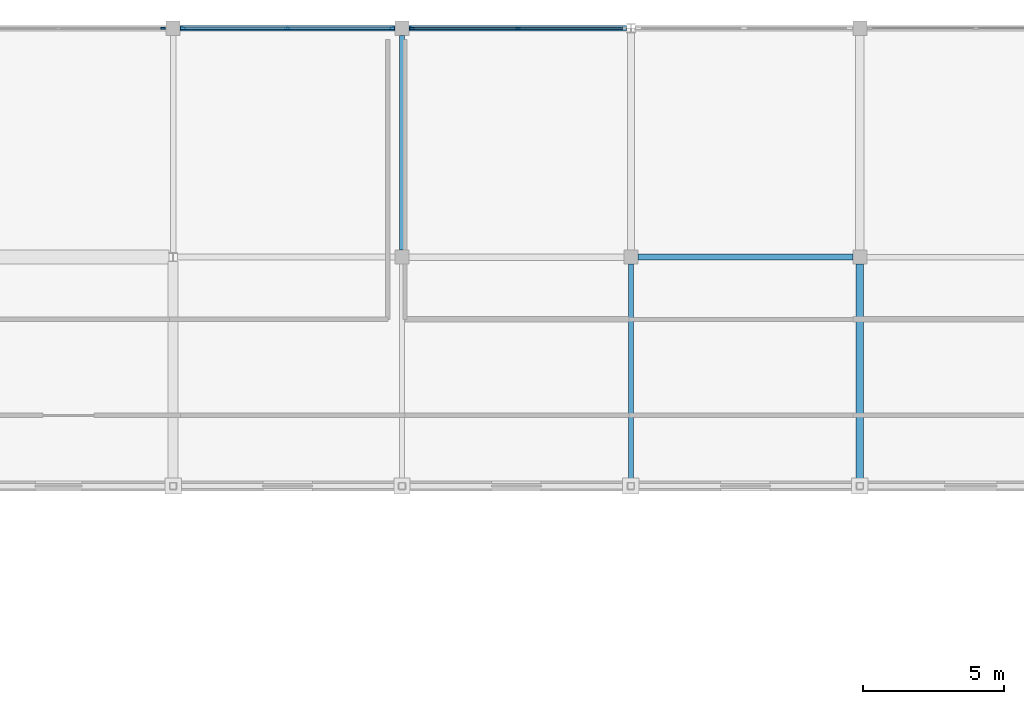
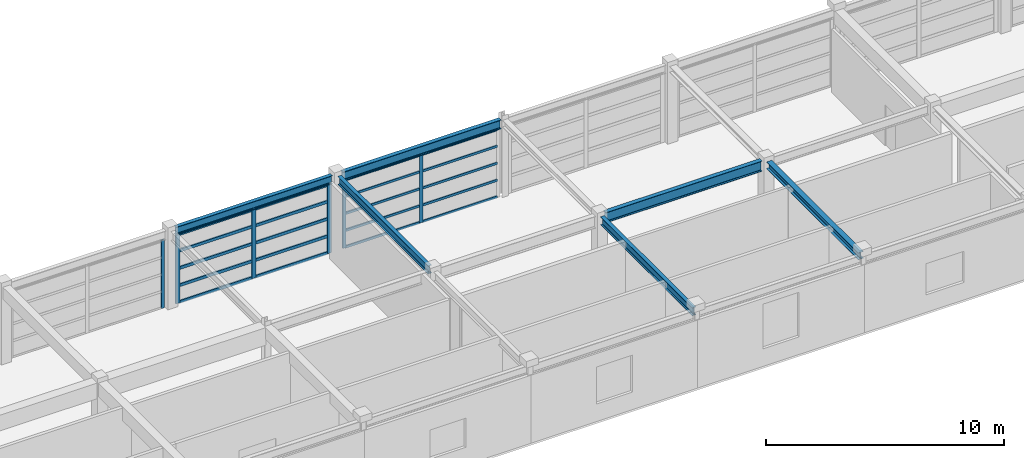
# One storey, part 9 of 19: 26 members, 6 beams, 3 elements without a shape of their own.
"""IFC4 building model written with IfcOpenShell, lengths in metres."""

from ifc_helpers import new_model, si_unit, direction, frame, origin, origin_2d, place, context, subcontext, project, spatial, rectangle, i_section, extrude, material, material_profile, profile_set, type_object, element, aggregate, save


model = new_model("IFC4")

# Units and contexts
model_context = context("Model", 3, precision=1e-05, world=origin(), true_north=direction((0.0, 1.0)))
body_context = subcontext(model_context, "Body", "Model", "MODEL_VIEW")
ifc_project = project(units=[si_unit("LENGTHUNIT", "METRE"), si_unit("AREAUNIT", "SQUARE_METRE"), si_unit("VOLUMEUNIT", "CUBIC_METRE"), si_unit("PLANEANGLEUNIT", "RADIAN"), si_unit("MASSUNIT", "GRAM", prefix="KILO")], contexts=[model_context])

# Site, building, storey
site_placement = place(None, origin())
site = spatial("IfcSite", under=ifc_project, at=site_placement, CompositionType="ELEMENT")
building_placement = place(site_placement, origin())
building = spatial("IfcBuilding", under=site, at=building_placement, Name="Parian Resonance Hall", CompositionType="ELEMENT")
storey_placement = place(building_placement, frame((0.0, 0.0, 23.39990234375)))
storey = spatial("IfcBuildingStorey", under=building, at=storey_placement, Name="L05", CompositionType="ELEMENT", Elevation=23.39990234375)

# Beams
ifc_material_1 = material(Name="Steel S355", Category="steel")
ifc_material_profile_1 = material_profile(ifc_material_1, i_section(OverallWidth=0.2548828125, OverallDepth=0.35693359375, WebThickness=0.010498046875, FlangeThickness=0.018310546875, FilletRadius=0.01513671875, at=origin_2d()), Name="W360x101")
ifc_profile_set_1 = profile_set([ifc_material_profile_1], Name="Steel S355")
beam_type_1 = type_object("IfcBeamType", Name="BM-W360x101", PredefinedType="SPANDREL", material=ifc_profile_set_1)
beam_1_placement = place(storey_placement, frame((105.300048828125, 73.02490234375, 3.79150390625), z_axis=(0.0, 1.0, 0.0), x_axis=(-1.0, 0.0, 0.0)))
element("IfcBeam", 1, at=beam_1_placement, inside=storey, type_object=beam_type_1, Name="GY-L05-1076", PredefinedType="SPANDREL", context=body_context, shape_type="SweptSolid", body=[
    extrude(i_section(OverallWidth=0.2548828125, OverallDepth=0.35693359375, WebThickness=0.010498046875, FlangeThickness=0.018310546875, FilletRadius=0.01513671875, at=origin_2d()), origin(), (0.0, 0.0, 1.0), 7.72509765625),
])
ifc_material_2 = material(Name="Steel S355", Category="steel")
ifc_material_profile_2 = material_profile(ifc_material_2, i_section(OverallWidth=0.180908203125, OverallDepth=0.4169921875, WebThickness=0.010986328125, FlangeThickness=0.018310546875, FilletRadius=0.01513671875, at=origin_2d()), Name="W410x85")
ifc_profile_set_2 = profile_set([ifc_material_profile_2], Name="Steel S355")
beam_type_2 = type_object("IfcBeamType", Name="BM-W410x85", PredefinedType="SPANDREL", material=ifc_profile_set_2)
for number, where, z_axis, x_axis, name in (
    (2, (81.25, 89.10009765625, 3.76171875), (1.0, 0.0, 0.0), (0.0, 1.0, 0.0), "GX-L05-1028"),
    (3, (89.10009765625, 81.25, 3.76171875), (0.0, 1.0, 0.0), (-1.0, 0.0, 0.0), "GY-L05-1073"),
):
    element("IfcBeam", number, at=place(storey_placement, frame(where, z_axis=z_axis, x_axis=x_axis)), inside=storey, type_object=beam_type_2, Name=name, PredefinedType="SPANDREL", context=body_context, shape_type="SweptSolid", body=[
        extrude(i_section(OverallWidth=0.180908203125, OverallDepth=0.4169921875, WebThickness=0.010986328125, FlangeThickness=0.018310546875, FilletRadius=0.01513671875, at=origin_2d()), origin(), (0.0, 0.0, 1.0), 7.60009765625),
    ])
beam_2_placement = place(storey_placement, frame((97.199951171875, 73.02490234375, 3.76171875), z_axis=(0.0, 1.0, 0.0), x_axis=(-1.0, 0.0, 0.0)))
element("IfcBeam", 4, at=beam_2_placement, inside=storey, type_object=beam_type_2, Name="GY-L05-1074", PredefinedType="SPANDREL", context=body_context, shape_type="SweptSolid", body=[
    extrude(i_section(OverallWidth=0.180908203125, OverallDepth=0.4169921875, WebThickness=0.010986328125, FlangeThickness=0.018310546875, FilletRadius=0.01513671875, at=origin_2d()), origin(), (0.0, 0.0, 1.0), 7.72509765625),
])
ifc_material_3 = material(Name="Steel S355", Category="steel")
ifc_material_profile_3 = material_profile(ifc_material_3, i_section(OverallWidth=0.194091796875, OverallDepth=0.468994140625, WebThickness=0.0126953125, FlangeThickness=0.0205078125, FilletRadius=0.01513671875, at=origin_2d()), Name="W460x106")
ifc_profile_set_3 = profile_set([ifc_material_profile_3], Name="Steel S355")
beam_type_3 = type_object("IfcBeamType", Name="BM-W460x106", PredefinedType="SPANDREL", material=ifc_profile_set_3)
beam_3_placement = place(storey_placement, frame((89.35009765625, 89.10009765625, 3.735595703125), z_axis=(1.0, 0.0, 0.0), x_axis=(0.0, 1.0, 0.0)))
element("IfcBeam", 5, at=beam_3_placement, inside=storey, type_object=beam_type_3, Name="GX-L05-1031", PredefinedType="SPANDREL", context=body_context, shape_type="SweptSolid", body=[
    extrude(i_section(OverallWidth=0.194091796875, OverallDepth=0.468994140625, WebThickness=0.0126953125, FlangeThickness=0.0205078125, FilletRadius=0.01513671875, at=origin_2d()), origin(), (0.0, 0.0, 1.0), 7.697509765625),
])
ifc_material_4 = material(Name="Steel S355", Category="steel")
ifc_material_profile_4 = material_profile(ifc_material_4, i_section(OverallWidth=0.208984375, OverallDepth=0.532958984375, WebThickness=0.01025390625, FlangeThickness=0.015625, FilletRadius=0.017822265625, at=origin_2d()), Name="W530x92")
ifc_profile_set_4 = profile_set([ifc_material_profile_4], Name="Steel S355")
beam_type_4 = type_object("IfcBeamType", Name="BM-W530x92", PredefinedType="BEAM", material=ifc_profile_set_4)
beam_4_placement = place(storey_placement, frame((97.449951171875, 81.0, 3.70361328125), z_axis=(1.0, 0.0, 0.0), x_axis=(0.0, 1.0, 0.0)))
element("IfcBeam", 6, at=beam_4_placement, inside=storey, type_object=beam_type_4, Name="GX-L05-1033", PredefinedType="BEAM", context=body_context, shape_type="SweptSolid", body=[
    extrude(i_section(OverallWidth=0.208984375, OverallDepth=0.532958984375, WebThickness=0.01025390625, FlangeThickness=0.015625, FilletRadius=0.017822265625, at=origin_2d()), origin(), (0.0, 0.0, 1.0), 7.60009765625),
])

# Curtain wall, member
ifc_material_5 = material(Name="Bronze-anodised aluminium frame", Category="aluminium")
curtain_wall_type_1 = type_object("IfcCurtainWallType", Name="CW-SYS-04", PredefinedType="NOTDEFINED", material=ifc_material_5)
curtain_wall_1_placement = place(storey_placement, origin())
curtain_wall_1 = element("IfcCurtainWall", 7, at=curtain_wall_1_placement, inside=storey, type_object=curtain_wall_type_1, Name="Curtain wall CW-L05-155", PredefinedType="NOTDEFINED")
ifc_material_6 = material(Name="Bronze-anodised aluminium frame", Category="aluminium")
ifc_material_profile_5 = material_profile(ifc_material_6, rectangle(XDim=0.06494140625, YDim=0.159912109375, at=origin_2d()), Name="CWM-65x160")
ifc_profile_set_5 = profile_set([ifc_material_profile_5], Name="Bronze-anodised aluminium frame")
member_type_1 = type_object("IfcMemberType", Name="CWM-65x160", PredefinedType="MULLION", material=ifc_profile_set_5)
member_1_placement = place(storey_placement, frame((80.637451171875, 89.10009765625, -0.0078125), z_axis=(0.0, 0.0, 1.0), x_axis=(0.0, 1.0, 0.0)))
member_1 = element("IfcMember", 8, at=member_1_placement, type_object=member_type_1, Name="CW-04 mullion 3", PredefinedType="MULLION", context=body_context, shape_type="SweptSolid", body=[
    extrude(rectangle(XDim=0.06494140625, YDim=0.159912109375, at=origin_2d()), origin(), (0.0, 0.0, 1.0), 3.512939453125),
])
aggregate(curtain_wall_1, [member_1])

# Curtain wall, members
ifc_material_7 = material(Name="Bronze-anodised aluminium frame", Category="aluminium")
curtain_wall_type_2 = type_object("IfcCurtainWallType", Name="CW-SYS-06", PredefinedType="NOTDEFINED", material=ifc_material_7)
curtain_wall_2_placement = place(storey_placement, origin())
curtain_wall_2 = element("IfcCurtainWall", 9, at=curtain_wall_2_placement, inside=storey, type_object=curtain_wall_type_2, Name="Curtain wall CW-L05-157", PredefinedType="NOTDEFINED")
member_2_placement = place(storey_placement, frame((89.46240234375, 89.10009765625, -0.0078125), z_axis=(0.0, 0.0, 1.0), x_axis=(0.0, 1.0, 0.0)))
member_2 = element("IfcMember", 10, at=member_2_placement, type_object=member_type_1, Name="CW-06 mullion 1", PredefinedType="MULLION", context=body_context, shape_type="SweptSolid", body=[
    extrude(rectangle(XDim=0.06494140625, YDim=0.159912109375, at=origin_2d()), origin(), (0.0, 0.0, 1.0), 3.512939453125),
])
member_3_placement = place(storey_placement, frame((93.19873046875, 89.10009765625, -0.0078125), z_axis=(0.0, 0.0, 1.0), x_axis=(0.0, 1.0, 0.0)))
member_3 = element("IfcMember", 11, at=member_3_placement, type_object=member_type_1, Name="CW-06 mullion 2", PredefinedType="MULLION", context=body_context, shape_type="SweptSolid", body=[
    extrude(rectangle(XDim=0.06494140625, YDim=0.159912109375, at=origin_2d()), origin(), (0.0, 0.0, 1.0), 3.512939453125),
])

ifc_material_8 = material(Name="Bronze-anodised aluminium frame", Category="aluminium")
curtain_wall_type_3 = type_object("IfcCurtainWallType", Name="CW-SYS-05", PredefinedType="NOTDEFINED", material=ifc_material_8)
curtain_wall_3_placement = place(storey_placement, origin())
curtain_wall_3 = element("IfcCurtainWall", 12, at=curtain_wall_3_placement, inside=storey, type_object=curtain_wall_type_3, Name="Curtain wall CW-L05-156", PredefinedType="NOTDEFINED")
ifc_material_9 = material(Name="Bronze-anodised aluminium frame", Category="aluminium")
ifc_material_profile_6 = material_profile(ifc_material_9, rectangle(XDim=0.074951171875, YDim=0.199951171875, at=origin_2d()), Name="CWM-75x200")
ifc_profile_set_6 = profile_set([ifc_material_profile_6], Name="Bronze-anodised aluminium frame")
member_type_2 = type_object("IfcMemberType", Name="CWM-75x200", PredefinedType="MULLION", material=ifc_profile_set_6)
member_4_placement = place(storey_placement, frame((81.367431640625, 89.10009765625, -0.0078125), z_axis=(0.0, 0.0, 1.0), x_axis=(0.0, 1.0, 0.0)))
member_4 = element("IfcMember", 13, at=member_4_placement, type_object=member_type_2, Name="CW-05 mullion 1", PredefinedType="MULLION", context=body_context, shape_type="SweptSolid", body=[
    extrude(rectangle(XDim=0.074951171875, YDim=0.199951171875, at=origin_2d()), origin(), (0.0, 0.0, 1.0), 3.56494140625),
])
member_5_placement = place(storey_placement, frame((85.050048828125, 89.10009765625, -0.0078125), z_axis=(0.0, 0.0, 1.0), x_axis=(0.0, 1.0, 0.0)))
member_5 = element("IfcMember", 14, at=member_5_placement, type_object=member_type_2, Name="CW-05 mullion 2", PredefinedType="MULLION", context=body_context, shape_type="SweptSolid", body=[
    extrude(rectangle(XDim=0.074951171875, YDim=0.199951171875, at=origin_2d()), origin(), (0.0, 0.0, 1.0), 3.56494140625),
])
member_6_placement = place(storey_placement, frame((88.732421875, 89.10009765625, -0.0078125), z_axis=(0.0, 0.0, 1.0), x_axis=(0.0, 1.0, 0.0)))
member_6 = element("IfcMember", 15, at=member_6_placement, type_object=member_type_2, Name="CW-05 mullion 3", PredefinedType="MULLION", context=body_context, shape_type="SweptSolid", body=[
    extrude(rectangle(XDim=0.074951171875, YDim=0.199951171875, at=origin_2d()), origin(), (0.0, 0.0, 1.0), 3.56494140625),
])

# Member
ifc_material_10 = material(Name="Bronze-anodised aluminium frame", Category="aluminium")
ifc_material_profile_7 = material_profile(ifc_material_10, rectangle(XDim=0.06494140625, YDim=0.1201171875, at=origin_2d()), Name="CWT-65x120")
ifc_profile_set_7 = profile_set([ifc_material_profile_7], Name="Bronze-anodised aluminium frame")
member_type_3 = type_object("IfcMemberType", Name="CWT-65x120", PredefinedType="USERDEFINED", material=ifc_profile_set_7)
member_7_placement = place(storey_placement, frame((89.4951171875, 89.10009765625, 0.024658203125), z_axis=(1.0, 0.0, 0.0), x_axis=(0.0, 1.0, 0.0)))
member_7 = element("IfcMember", 16, at=member_7_placement, type_object=member_type_3, Name="CW-06 transom 1.1", ObjectType="TRANSOM", PredefinedType="USERDEFINED", context=body_context, shape_type="SweptSolid", body=[
    extrude(rectangle(XDim=0.06494140625, YDim=0.1201171875, at=origin_2d()), origin(), (0.0, 0.0, 1.0), 3.671142578125),
])

member_8_placement = place(storey_placement, frame((89.4951171875, 89.10009765625, 0.873779296875), z_axis=(1.0, 0.0, 0.0), x_axis=(0.0, 1.0, 0.0)))
member_8 = element("IfcMember", 17, at=member_8_placement, type_object=member_type_3, Name="CW-06 transom 1.2", ObjectType="TRANSOM", PredefinedType="USERDEFINED", context=body_context, shape_type="SweptSolid", body=[
    extrude(rectangle(XDim=0.06494140625, YDim=0.1201171875, at=origin_2d()), origin(), (0.0, 0.0, 1.0), 3.671142578125),
])

member_9_placement = place(storey_placement, frame((89.4951171875, 89.10009765625, 1.74755859375), z_axis=(1.0, 0.0, 0.0), x_axis=(0.0, 1.0, 0.0)))
member_9 = element("IfcMember", 18, at=member_9_placement, type_object=member_type_3, Name="CW-06 transom 1.3", ObjectType="TRANSOM", PredefinedType="USERDEFINED", context=body_context, shape_type="SweptSolid", body=[
    extrude(rectangle(XDim=0.06494140625, YDim=0.1201171875, at=origin_2d()), origin(), (0.0, 0.0, 1.0), 3.671142578125),
])

member_10_placement = place(storey_placement, frame((89.4951171875, 89.10009765625, 2.621337890625), z_axis=(1.0, 0.0, 0.0), x_axis=(0.0, 1.0, 0.0)))
member_10 = element("IfcMember", 19, at=member_10_placement, type_object=member_type_3, Name="CW-06 transom 1.4", ObjectType="TRANSOM", PredefinedType="USERDEFINED", context=body_context, shape_type="SweptSolid", body=[
    extrude(rectangle(XDim=0.06494140625, YDim=0.1201171875, at=origin_2d()), origin(), (0.0, 0.0, 1.0), 3.671142578125),
])

member_11_placement = place(storey_placement, frame((89.4951171875, 89.10009765625, 3.47265625), z_axis=(1.0, 0.0, 0.0), x_axis=(0.0, 1.0, 0.0)))
member_11 = element("IfcMember", 20, at=member_11_placement, type_object=member_type_3, Name="CW-06 transom 1.5", ObjectType="TRANSOM", PredefinedType="USERDEFINED", context=body_context, shape_type="SweptSolid", body=[
    extrude(rectangle(XDim=0.06494140625, YDim=0.1201171875, at=origin_2d()), origin(), (0.0, 0.0, 1.0), 3.671142578125),
])

member_12_placement = place(storey_placement, frame((93.231201171875, 89.10009765625, 0.024658203125), z_axis=(1.0, 0.0, 0.0), x_axis=(0.0, 1.0, 0.0)))
member_12 = element("IfcMember", 21, at=member_12_placement, type_object=member_type_3, Name="CW-06 transom 2.1", ObjectType="TRANSOM", PredefinedType="USERDEFINED", context=body_context, shape_type="SweptSolid", body=[
    extrude(rectangle(XDim=0.06494140625, YDim=0.1201171875, at=origin_2d()), origin(), (0.0, 0.0, 1.0), 3.67138671875),
])

member_13_placement = place(storey_placement, frame((93.231201171875, 89.10009765625, 0.873779296875), z_axis=(1.0, 0.0, 0.0), x_axis=(0.0, 1.0, 0.0)))
member_13 = element("IfcMember", 22, at=member_13_placement, type_object=member_type_3, Name="CW-06 transom 2.2", ObjectType="TRANSOM", PredefinedType="USERDEFINED", context=body_context, shape_type="SweptSolid", body=[
    extrude(rectangle(XDim=0.06494140625, YDim=0.1201171875, at=origin_2d()), origin(), (0.0, 0.0, 1.0), 3.67138671875),
])

member_14_placement = place(storey_placement, frame((93.231201171875, 89.10009765625, 1.74755859375), z_axis=(1.0, 0.0, 0.0), x_axis=(0.0, 1.0, 0.0)))
member_14 = element("IfcMember", 23, at=member_14_placement, type_object=member_type_3, Name="CW-06 transom 2.3", ObjectType="TRANSOM", PredefinedType="USERDEFINED", context=body_context, shape_type="SweptSolid", body=[
    extrude(rectangle(XDim=0.06494140625, YDim=0.1201171875, at=origin_2d()), origin(), (0.0, 0.0, 1.0), 3.67138671875),
])

member_15_placement = place(storey_placement, frame((93.231201171875, 89.10009765625, 2.621337890625), z_axis=(1.0, 0.0, 0.0), x_axis=(0.0, 1.0, 0.0)))
member_15 = element("IfcMember", 24, at=member_15_placement, type_object=member_type_3, Name="CW-06 transom 2.4", ObjectType="TRANSOM", PredefinedType="USERDEFINED", context=body_context, shape_type="SweptSolid", body=[
    extrude(rectangle(XDim=0.06494140625, YDim=0.1201171875, at=origin_2d()), origin(), (0.0, 0.0, 1.0), 3.67138671875),
])

member_16_placement = place(storey_placement, frame((93.231201171875, 89.10009765625, 3.47265625), z_axis=(1.0, 0.0, 0.0), x_axis=(0.0, 1.0, 0.0)))
member_16 = element("IfcMember", 25, at=member_16_placement, type_object=member_type_3, Name="CW-06 transom 2.5", ObjectType="TRANSOM", PredefinedType="USERDEFINED", context=body_context, shape_type="SweptSolid", body=[
    extrude(rectangle(XDim=0.06494140625, YDim=0.1201171875, at=origin_2d()), origin(), (0.0, 0.0, 1.0), 3.67138671875),
])

aggregate(curtain_wall_2, [member_2, member_3, member_7, member_8, member_9, member_10, member_11, member_12, member_13, member_14, member_15, member_16])

ifc_material_11 = material(Name="Bronze-anodised aluminium frame", Category="aluminium")
ifc_material_profile_8 = material_profile(ifc_material_11, rectangle(XDim=0.074951171875, YDim=0.14990234375, at=origin_2d()), Name="CWT-75x150")
ifc_profile_set_8 = profile_set([ifc_material_profile_8], Name="Bronze-anodised aluminium frame")
member_type_4 = type_object("IfcMemberType", Name="CWT-75x150", PredefinedType="USERDEFINED", material=ifc_profile_set_8)
member_17_placement = place(storey_placement, frame((81.405029296875, 89.10009765625, 0.029541015625), z_axis=(1.0, 0.0, 0.0), x_axis=(0.0, 1.0, 0.0)))
member_17 = element("IfcMember", 26, at=member_17_placement, type_object=member_type_4, Name="CW-05 transom 1.1", ObjectType="TRANSOM", PredefinedType="USERDEFINED", context=body_context, shape_type="SweptSolid", body=[
    extrude(rectangle(XDim=0.074951171875, YDim=0.14990234375, at=origin_2d()), origin(), (0.0, 0.0, 1.0), 3.607421875),
])

member_18_placement = place(storey_placement, frame((81.405029296875, 89.10009765625, 0.88671875), z_axis=(1.0, 0.0, 0.0), x_axis=(0.0, 1.0, 0.0)))
member_18 = element("IfcMember", 27, at=member_18_placement, type_object=member_type_4, Name="CW-05 transom 1.2", ObjectType="TRANSOM", PredefinedType="USERDEFINED", context=body_context, shape_type="SweptSolid", body=[
    extrude(rectangle(XDim=0.074951171875, YDim=0.14990234375, at=origin_2d()), origin(), (0.0, 0.0, 1.0), 3.607421875),
])

member_19_placement = place(storey_placement, frame((81.405029296875, 89.10009765625, 1.773681640625), z_axis=(1.0, 0.0, 0.0), x_axis=(0.0, 1.0, 0.0)))
member_19 = element("IfcMember", 28, at=member_19_placement, type_object=member_type_4, Name="CW-05 transom 1.3", ObjectType="TRANSOM", PredefinedType="USERDEFINED", context=body_context, shape_type="SweptSolid", body=[
    extrude(rectangle(XDim=0.074951171875, YDim=0.14990234375, at=origin_2d()), origin(), (0.0, 0.0, 1.0), 3.607421875),
])

member_20_placement = place(storey_placement, frame((81.405029296875, 89.10009765625, 2.660400390625), z_axis=(1.0, 0.0, 0.0), x_axis=(0.0, 1.0, 0.0)))
member_20 = element("IfcMember", 29, at=member_20_placement, type_object=member_type_4, Name="CW-05 transom 1.4", ObjectType="TRANSOM", PredefinedType="USERDEFINED", context=body_context, shape_type="SweptSolid", body=[
    extrude(rectangle(XDim=0.074951171875, YDim=0.14990234375, at=origin_2d()), origin(), (0.0, 0.0, 1.0), 3.607421875),
])

member_21_placement = place(storey_placement, frame((81.405029296875, 89.10009765625, 3.51953125), z_axis=(1.0, 0.0, 0.0), x_axis=(0.0, 1.0, 0.0)))
member_21 = element("IfcMember", 30, at=member_21_placement, type_object=member_type_4, Name="CW-05 transom 1.5", ObjectType="TRANSOM", PredefinedType="USERDEFINED", context=body_context, shape_type="SweptSolid", body=[
    extrude(rectangle(XDim=0.074951171875, YDim=0.14990234375, at=origin_2d()), origin(), (0.0, 0.0, 1.0), 3.607421875),
])

member_22_placement = place(storey_placement, frame((85.08740234375, 89.10009765625, 0.029541015625), z_axis=(1.0, 0.0, 0.0), x_axis=(0.0, 1.0, 0.0)))
member_22 = element("IfcMember", 31, at=member_22_placement, type_object=member_type_4, Name="CW-05 transom 2.1", ObjectType="TRANSOM", PredefinedType="USERDEFINED", context=body_context, shape_type="SweptSolid", body=[
    extrude(rectangle(XDim=0.074951171875, YDim=0.14990234375, at=origin_2d()), origin(), (0.0, 0.0, 1.0), 3.607666015625),
])

member_23_placement = place(storey_placement, frame((85.08740234375, 89.10009765625, 0.88671875), z_axis=(1.0, 0.0, 0.0), x_axis=(0.0, 1.0, 0.0)))
member_23 = element("IfcMember", 32, at=member_23_placement, type_object=member_type_4, Name="CW-05 transom 2.2", ObjectType="TRANSOM", PredefinedType="USERDEFINED", context=body_context, shape_type="SweptSolid", body=[
    extrude(rectangle(XDim=0.074951171875, YDim=0.14990234375, at=origin_2d()), origin(), (0.0, 0.0, 1.0), 3.607666015625),
])

member_24_placement = place(storey_placement, frame((85.08740234375, 89.10009765625, 1.773681640625), z_axis=(1.0, 0.0, 0.0), x_axis=(0.0, 1.0, 0.0)))
member_24 = element("IfcMember", 33, at=member_24_placement, type_object=member_type_4, Name="CW-05 transom 2.3", ObjectType="TRANSOM", PredefinedType="USERDEFINED", context=body_context, shape_type="SweptSolid", body=[
    extrude(rectangle(XDim=0.074951171875, YDim=0.14990234375, at=origin_2d()), origin(), (0.0, 0.0, 1.0), 3.607666015625),
])

member_25_placement = place(storey_placement, frame((85.08740234375, 89.10009765625, 2.660400390625), z_axis=(1.0, 0.0, 0.0), x_axis=(0.0, 1.0, 0.0)))
member_25 = element("IfcMember", 34, at=member_25_placement, type_object=member_type_4, Name="CW-05 transom 2.4", ObjectType="TRANSOM", PredefinedType="USERDEFINED", context=body_context, shape_type="SweptSolid", body=[
    extrude(rectangle(XDim=0.074951171875, YDim=0.14990234375, at=origin_2d()), origin(), (0.0, 0.0, 1.0), 3.607666015625),
])

member_26_placement = place(storey_placement, frame((85.08740234375, 89.10009765625, 3.51953125), z_axis=(1.0, 0.0, 0.0), x_axis=(0.0, 1.0, 0.0)))
member_26 = element("IfcMember", 35, at=member_26_placement, type_object=member_type_4, Name="CW-05 transom 2.5", ObjectType="TRANSOM", PredefinedType="USERDEFINED", context=body_context, shape_type="SweptSolid", body=[
    extrude(rectangle(XDim=0.074951171875, YDim=0.14990234375, at=origin_2d()), origin(), (0.0, 0.0, 1.0), 3.607666015625),
])

aggregate(curtain_wall_3, [member_4, member_5, member_6, member_17, member_18, member_19, member_20, member_21, member_22, member_23, member_24, member_25, member_26])

save(model, "model.ifc")
